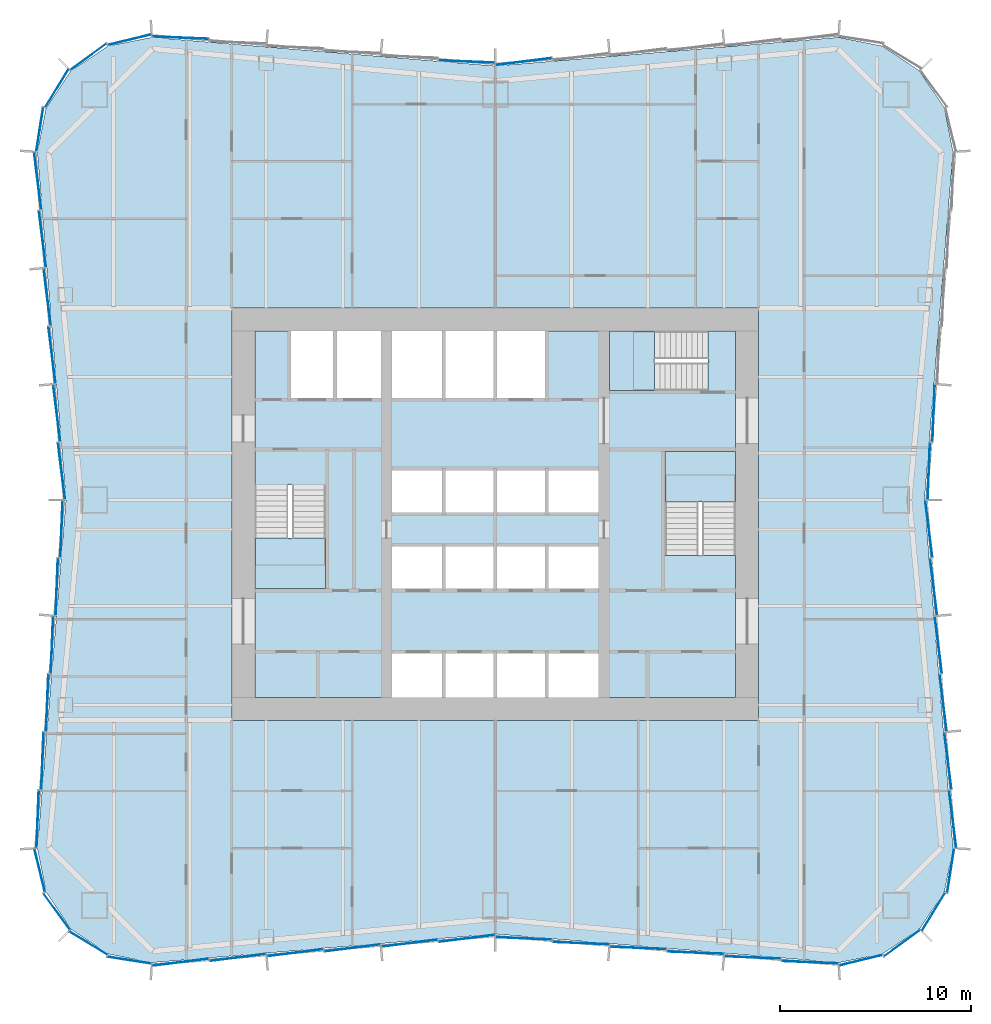
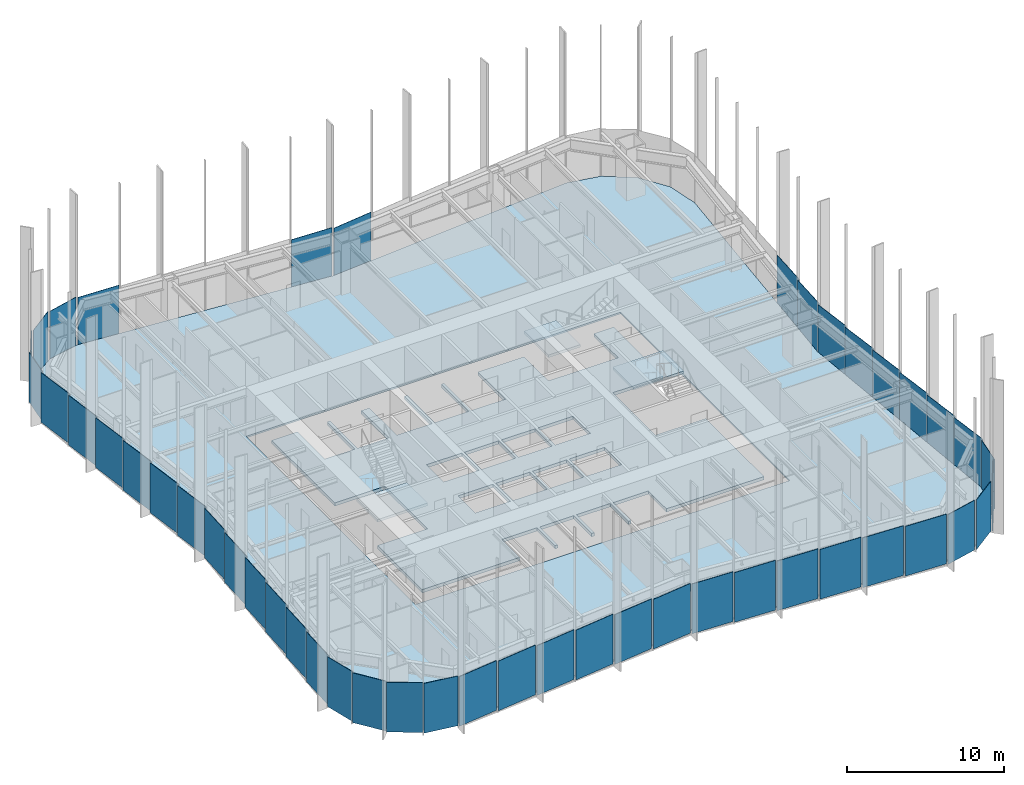
# One storey, part 7 of 13: 47 plates, 5 slabs, 10 elements without a shape of their own.
"""IFC4 building model written with IfcOpenShell, lengths in metres."""

from ifc_helpers import new_model, si_unit, direction, frame, origin, origin_2d, place, context, subcontext, project, spatial, polyline, rectangle, outline, extrude, material, layer, layer_set, type_object, element, aggregate, save


model = new_model("IFC4")

# Units and contexts
model_context = context("Model", 3, precision=1e-05, world=origin(), true_north=direction((0.0, 1.0)))
body_context = subcontext(model_context, "Body", "Model", "MODEL_VIEW")
ifc_project = project(units=[si_unit("LENGTHUNIT", "METRE"), si_unit("AREAUNIT", "SQUARE_METRE"), si_unit("VOLUMEUNIT", "CUBIC_METRE"), si_unit("PLANEANGLEUNIT", "RADIAN"), si_unit("MASSUNIT", "GRAM", prefix="KILO")], contexts=[model_context])

# Site, building, storey
site_placement = place(None, origin())
site = spatial("IfcSite", under=ifc_project, at=site_placement, CompositionType="ELEMENT")
building_placement = place(site_placement, origin())
building = spatial("IfcBuilding", under=site, at=building_placement, Name="Verdant Reach Tower", CompositionType="ELEMENT")
storey_placement = place(building_placement, frame((0.0, 0.0, 94.0)))
storey = spatial("IfcBuildingStorey", under=building, at=storey_placement, Name="L21", CompositionType="ELEMENT", Elevation=94.0)

# Stair, slab
ifc_material_1 = material(Name="Concrete C40/50", Category="concrete")
stair_type = type_object("IfcStairType", Name="CO-STAIR", PredefinedType="HALF_TURN_STAIR", material=ifc_material_1)
stair_1_placement = place(storey_placement, origin())
stair_1 = element("IfcStair", 1, at=stair_1_placement, inside=storey, type_object=stair_type, Name="L21 Exit stair 1", PredefinedType="HALF_TURN_STAIR")
ifc_layer_1 = layer(ifc_material_1, 0.199951171875)
ifc_layer_set_1 = layer_set([ifc_layer_1], Name="CO-STAIR-LANDING")
slab_type_1 = type_object("IfcSlabType", Name="CO-STAIR-LANDING", PredefinedType="LANDING", material=ifc_layer_set_1)
slab_1_placement = place(storey_placement, frame((0.0, 0.0, 1.800048828125)))
slab_1 = element("IfcSlab", 2, at=slab_1_placement, type_object=slab_type_1, Name="ST-1 landing 1", PredefinedType="LANDING", context=body_context, shape_type="SweptSolid", body=[
    extrude(outline(polyline([(-12.60009765625, 26.75), (-12.60009765625, 24.10009765625), (-8.89990234375, 24.10009765625), (-8.89990234375, 26.75), (-12.60009765625, 26.75)])), origin(), (0.0, 0.0, 1.0), 0.199951171875),
])
aggregate(stair_1, [slab_1])

stair_2_placement = place(storey_placement, origin())
stair_2 = element("IfcStair", 3, at=stair_2_placement, inside=storey, type_object=stair_type, Name="L21 Exit stair 2", PredefinedType="HALF_TURN_STAIR")
slab_2_placement = place(storey_placement, frame((0.0, 0.0, 1.800048828125)))
slab_2 = element("IfcSlab", 4, at=slab_2_placement, type_object=slab_type_1, Name="ST-2 landing 1", PredefinedType="LANDING", context=body_context, shape_type="SweptSolid", body=[
    extrude(outline(polyline([(12.60009765625, 28.64990234375), (12.60009765625, 31.300048828125), (8.89990234375, 31.300048828125), (8.89990234375, 28.64990234375), (12.60009765625, 28.64990234375)])), origin(), (0.0, 0.0, 1.0), 0.199951171875),
])
aggregate(stair_2, [slab_2])

stair_3_placement = place(storey_placement, origin())
stair_3 = element("IfcStair", 5, at=stair_3_placement, inside=storey, type_object=stair_type, Name="L21 Exit stair 3", PredefinedType="HALF_TURN_STAIR")
slab_3_placement = place(storey_placement, frame((0.0, 0.0, 1.800048828125)))
slab_3 = element("IfcSlab", 6, at=slab_3_placement, type_object=slab_type_1, Name="ST-3 landing 1", PredefinedType="LANDING", context=body_context, shape_type="SweptSolid", body=[
    extrude(outline(polyline([(8.35009765625, 37.60009765625), (6.0, 37.60009765625), (6.0, 34.5), (8.35009765625, 34.5), (8.35009765625, 37.60009765625)])), origin(), (0.0, 0.0, 1.0), 0.199951171875),
])
aggregate(stair_3, [slab_3])

# Curtain wall, plates
ifc_material_2 = material(Name="Anodised aluminium", Category="aluminium")
curtain_wall_type = type_object("IfcCurtainWallType", Name="EN-CW SYSTEM Z1", PredefinedType="NOTDEFINED", material=ifc_material_2)
curtain_wall_1_placement = place(storey_placement, origin())
curtain_wall_1 = element("IfcCurtainWall", 7, at=curtain_wall_1_placement, inside=storey, type_object=curtain_wall_type, Name="Curtain wall east, L21", PredefinedType="NOTDEFINED")
ifc_material_3 = material(Name="Tinted glass with champagne spandrel", Category="glass")
ifc_layer_2 = layer(ifc_material_3, 0.031982421875)
ifc_layer_set_2 = layer_set([ifc_layer_2], Name="EN-PANEL CHAMPAGNE")
plate_type_1 = type_object("IfcPlateType", Name="EN-PANEL CHAMPAGNE", PredefinedType="CURTAIN_PANEL", material=ifc_layer_set_2)
plate_1_placement = place(storey_placement, frame((23.2275390625, 21.154296875, -0.22802734375), z_axis=(0.0, 0.0, 1.0), x_axis=(-0.123578623975, 0.992334784081, 0.0)))
plate_1 = element("IfcPlate", 8, at=plate_1_placement, type_object=plate_type_1, Name="Glass panel east face part 1 4.1, L21", PredefinedType="CURTAIN_PANEL", context=body_context, shape_type="SweptSolid", body=[
    extrude(rectangle(XDim=2.993896484375, YDim=0.031982421875, at=origin_2d()), origin(), (0.0, 0.0, 1.0), 3.8779296875),
])
plate_2_placement = place(storey_placement, frame((22.9775390625, 24.196044921875, -0.22802734375), z_axis=(0.0, 0.0, 1.0), x_axis=(-0.123578623975, 0.992334784081, 0.0)))
plate_2 = element("IfcPlate", 9, at=plate_2_placement, type_object=plate_type_1, Name="Glass panel east face part 1 5.1, L21", PredefinedType="CURTAIN_PANEL", context=body_context, shape_type="SweptSolid", body=[
    extrude(rectangle(XDim=2.993896484375, YDim=0.031982421875, at=origin_2d()), origin(), (0.0, 0.0, 1.0), 3.8779296875),
])
plate_3_placement = place(storey_placement, frame((22.727783203125, 27.2333984375, -0.22802734375), z_axis=(0.0, 0.0, 1.0), x_axis=(-0.123691487663, 0.992320722287, 0.0)))
plate_3 = element("IfcPlate", 10, at=plate_3_placement, type_object=plate_type_1, Name="Glass panel east face part 1 6.1, L21", PredefinedType="CURTAIN_PANEL", context=body_context, shape_type="SweptSolid", body=[
    extrude(rectangle(XDim=2.985595703125, YDim=0.031982421875, at=origin_2d()), origin(), (0.0, 0.0, 1.0), 3.8779296875),
])

# Curtain wall, plate
curtain_wall_2_placement = place(storey_placement, origin())
curtain_wall_2 = element("IfcCurtainWall", 11, at=curtain_wall_2_placement, inside=storey, type_object=curtain_wall_type, Name="Curtain wall north, L21", PredefinedType="NOTDEFINED")
plate_4_placement = place(storey_placement, frame((-16.49853515625, 52.977783203125, -0.22802734375), z_axis=(0.0, 0.0, 1.0), x_axis=(-0.999162836679, 0.040909971885, 0.0)))
plate_4 = element("IfcPlate", 12, at=plate_4_placement, type_object=plate_type_1, Name="Glass panel north face part 2 6.1, L21", PredefinedType="CURTAIN_PANEL", context=body_context, shape_type="SweptSolid", body=[
    extrude(rectangle(XDim=2.966796875, YDim=0.031982421875, at=origin_2d()), origin(), (0.0, 0.0, 1.0), 3.8779296875),
])

# Curtain wall, plates
curtain_wall_3_placement = place(storey_placement, origin())
curtain_wall_3 = element("IfcCurtainWall", 13, at=curtain_wall_3_placement, inside=storey, type_object=curtain_wall_type, Name="Curtain wall north-west corner, L21", PredefinedType="NOTDEFINED")
plate_5_placement = place(storey_placement, frame((-22.97705078125, 50.325439453125, -0.22802734375), z_axis=(0.0, 0.0, 1.0), x_axis=(-0.520291572248, -0.85398868836, 0.0)))
plate_5 = element("IfcPlate", 14, at=plate_5_placement, type_object=plate_type_1, Name="Glass panel north-west corner 3.1, L21", PredefinedType="CURTAIN_PANEL", context=body_context, shape_type="SweptSolid", body=[
    extrude(rectangle(XDim=2.3232421875, YDim=0.031982421875, at=origin_2d()), origin(), (0.0, 0.0, 1.0), 3.8779296875),
])
plate_6_placement = place(storey_placement, frame((-23.87060546875, 48.170654296875, -0.22802734375), z_axis=(0.0, 0.0, 1.0), x_axis=(-0.154247912016, -0.988032176419, 0.0)))
plate_6 = element("IfcPlate", 15, at=plate_6_placement, type_object=plate_type_1, Name="Glass panel north-west corner 4.1, L21", PredefinedType="CURTAIN_PANEL", context=body_context, shape_type="SweptSolid", body=[
    extrude(rectangle(XDim=2.3173828125, YDim=0.031982421875, at=origin_2d()), origin(), (0.0, 0.0, 1.0), 3.8779296875),
])

curtain_wall_4_placement = place(storey_placement, origin())
curtain_wall_4 = element("IfcCurtainWall", 16, at=curtain_wall_4_placement, inside=storey, type_object=curtain_wall_type, Name="Curtain wall west, L21", PredefinedType="NOTDEFINED")
plate_7_placement = place(storey_placement, frame((-23.977783203125, 45.477783203125, -0.22802734375), z_axis=(0.0, 0.0, 1.0), x_axis=(0.123256305275, -0.992374870304, 0.0)))
plate_7 = element("IfcPlate", 17, at=plate_7_placement, type_object=plate_type_1, Name="Glass panel west face part 1 1.1, L21", PredefinedType="CURTAIN_PANEL", context=body_context, shape_type="SweptSolid", body=[
    extrude(rectangle(XDim=3.00830078125, YDim=0.031982421875, at=origin_2d()), origin(), (0.0, 0.0, 1.0), 3.8779296875),
])
plate_8_placement = place(storey_placement, frame((-23.7275390625, 42.428955078125, -0.22802734375), z_axis=(0.0, 0.0, 1.0), x_axis=(0.123578623975, -0.992334784081, 0.0)))
plate_8 = element("IfcPlate", 18, at=plate_8_placement, type_object=plate_type_1, Name="Glass panel west face part 1 2.1, L21", PredefinedType="CURTAIN_PANEL", context=body_context, shape_type="SweptSolid", body=[
    extrude(rectangle(XDim=2.993896484375, YDim=0.031982421875, at=origin_2d()), origin(), (0.0, 0.0, 1.0), 3.8779296875),
])
plate_9_placement = place(storey_placement, frame((-22.9775390625, 24.196044921875, -0.22802734375), z_axis=(0.0, 0.0, 1.0), x_axis=(-0.040108781752, -0.999195319057, 0.0)))
plate_9 = element("IfcPlate", 19, at=plate_9_placement, type_object=plate_type_1, Name="Glass panel west face part 2 2.1, L21", PredefinedType="CURTAIN_PANEL", context=body_context, shape_type="SweptSolid", body=[
    extrude(rectangle(XDim=2.993896484375, YDim=0.031982421875, at=origin_2d()), origin(), (0.0, 0.0, 1.0), 3.8779296875),
])
plate_10_placement = place(storey_placement, frame((-23.2275390625, 21.154296875, -0.22802734375), z_axis=(0.0, 0.0, 1.0), x_axis=(-0.040108781752, -0.999195319057, 0.0)))
plate_10 = element("IfcPlate", 20, at=plate_10_placement, type_object=plate_type_1, Name="Glass panel west face part 2 3.1, L21", PredefinedType="CURTAIN_PANEL", context=body_context, shape_type="SweptSolid", body=[
    extrude(rectangle(XDim=2.993896484375, YDim=0.031982421875, at=origin_2d()), origin(), (0.0, 0.0, 1.0), 3.8779296875),
])
plate_11_placement = place(storey_placement, frame((-23.4775390625, 18.112548828125, -0.22802734375), z_axis=(0.0, 0.0, 1.0), x_axis=(-0.040108781752, -0.999195319057, 0.0)))
plate_11 = element("IfcPlate", 21, at=plate_11_placement, type_object=plate_type_1, Name="Glass panel west face part 2 4.1, L21", PredefinedType="CURTAIN_PANEL", context=body_context, shape_type="SweptSolid", body=[
    extrude(rectangle(XDim=2.993896484375, YDim=0.031982421875, at=origin_2d()), origin(), (0.0, 0.0, 1.0), 3.8779296875),
])

curtain_wall_5_placement = place(storey_placement, origin())
curtain_wall_5 = element("IfcCurtainWall", 22, at=curtain_wall_5_placement, inside=storey, type_object=curtain_wall_type, Name="Curtain wall south-west corner, L21", PredefinedType="NOTDEFINED")
plate_12_placement = place(storey_placement, frame((-23.87060546875, 9.329345703125, -0.22802734375), z_axis=(0.0, 0.0, 1.0), x_axis=(0.236383344544, -0.971659875894, 0.0)))
plate_12 = element("IfcPlate", 23, at=plate_12_placement, type_object=plate_type_1, Name="Glass panel south-west corner 1.1, L21", PredefinedType="CURTAIN_PANEL", context=body_context, shape_type="SweptSolid", body=[
    extrude(rectangle(XDim=2.3173828125, YDim=0.031982421875, at=origin_2d()), origin(), (0.0, 0.0, 1.0), 3.8779296875),
])
plate_13_placement = place(storey_placement, frame((-22.97705078125, 7.174560546875, -0.22802734375), z_axis=(0.0, 0.0, 1.0), x_axis=(0.589926768145, -0.807456753161, 0.0)))
plate_13 = element("IfcPlate", 24, at=plate_13_placement, type_object=plate_type_1, Name="Glass panel south-west corner 2.1, L21", PredefinedType="CURTAIN_PANEL", context=body_context, shape_type="SweptSolid", body=[
    extrude(rectangle(XDim=2.3232421875, YDim=0.031982421875, at=origin_2d()), origin(), (0.0, 0.0, 1.0), 3.8779296875),
])

curtain_wall_6_placement = place(storey_placement, origin())
curtain_wall_6 = element("IfcCurtainWall", 25, at=curtain_wall_6_placement, inside=storey, type_object=curtain_wall_type, Name="Curtain wall south, L21", PredefinedType="NOTDEFINED")
plate_14_placement = place(storey_placement, frame((-1.49560546875, 5.772216796875, -0.22802734375), z_axis=(0.0, 0.0, 1.0), x_axis=(0.992179247355, 0.124821236644, 0.0)))
plate_14 = element("IfcPlate", 26, at=plate_14_placement, type_object=plate_type_1, Name="Glass panel south face part 1 6.1, L21", PredefinedType="CURTAIN_PANEL", context=body_context, shape_type="SweptSolid", body=[
    extrude(rectangle(XDim=2.94384765625, YDim=0.031982421875, at=origin_2d()), origin(), (0.0, 0.0, 1.0), 3.8779296875),
])
plate_15_placement = place(storey_placement, frame((1.49560546875, 5.772216796875, -0.22802734375), z_axis=(0.0, 0.0, 1.0), x_axis=(0.99914430697, -0.041360051381, 0.0)))
plate_15 = element("IfcPlate", 27, at=plate_15_placement, type_object=plate_type_1, Name="Glass panel south face part 2 1.1, L21", PredefinedType="CURTAIN_PANEL", context=body_context, shape_type="SweptSolid", body=[
    extrude(rectangle(XDim=2.94384765625, YDim=0.031982421875, at=origin_2d()), origin(), (0.0, 0.0, 1.0), 3.8779296875),
])
plate_16_placement = place(storey_placement, frame((4.491455078125, 5.5224609375, -0.22802734375), z_axis=(0.0, 0.0, 1.0), x_axis=(0.999149202059, -0.041241629766, 0.0)))
plate_16 = element("IfcPlate", 28, at=plate_16_placement, type_object=plate_type_1, Name="Glass panel south face part 2 2.1, L21", PredefinedType="CURTAIN_PANEL", context=body_context, shape_type="SweptSolid", body=[
    extrude(rectangle(XDim=2.952392578125, YDim=0.031982421875, at=origin_2d()), origin(), (0.0, 0.0, 1.0), 3.8779296875),
])

curtain_wall_7_placement = place(storey_placement, origin())
curtain_wall_7 = element("IfcCurtainWall", 29, at=curtain_wall_7_placement, inside=storey, type_object=curtain_wall_type, Name="Curtain wall south-east corner, L21", PredefinedType="NOTDEFINED")
ifc_material_4 = material(Name="Tinted glass with copper spandrel", Category="glass")
ifc_layer_3 = layer(ifc_material_4, 0.031982421875)
ifc_layer_set_3 = layer_set([ifc_layer_3], Name="EN-PANEL COPPER")
plate_type_2 = type_object("IfcPlateType", Name="EN-PANEL COPPER", PredefinedType="CURTAIN_PANEL", material=ifc_layer_set_3)
plate_17_placement = place(storey_placement, frame((19.170654296875, 4.62939453125, -0.22802734375), z_axis=(0.0, 0.0, 1.0), x_axis=(0.971660685934, 0.236380014828, 0.0)))
plate_17 = element("IfcPlate", 30, at=plate_17_placement, type_object=plate_type_2, Name="Glass panel south-east corner 1.1, L21", PredefinedType="CURTAIN_PANEL", context=body_context, shape_type="SweptSolid", body=[
    extrude(rectangle(XDim=2.317626953125, YDim=0.031982421875, at=origin_2d()), origin(), (0.0, 0.0, 1.0), 3.8779296875),
])
plate_18_placement = place(storey_placement, frame((21.325439453125, 5.52294921875, -0.22802734375), z_axis=(0.0, 0.0, 1.0), x_axis=(0.807456753161, 0.589926768145, 0.0)))
plate_18 = element("IfcPlate", 31, at=plate_18_placement, type_object=plate_type_2, Name="Glass panel south-east corner 2.1, L21", PredefinedType="CURTAIN_PANEL", context=body_context, shape_type="SweptSolid", body=[
    extrude(rectangle(XDim=2.3232421875, YDim=0.031982421875, at=origin_2d()), origin(), (0.0, 0.0, 1.0), 3.8779296875),
])
plate_19_placement = place(storey_placement, frame((22.97705078125, 7.174560546875, -0.22802734375), z_axis=(0.0, 0.0, 1.0), x_axis=(0.520291572248, 0.85398868836, 0.0)))
plate_19 = element("IfcPlate", 32, at=plate_19_placement, type_object=plate_type_2, Name="Glass panel south-east corner 3.1, L21", PredefinedType="CURTAIN_PANEL", context=body_context, shape_type="SweptSolid", body=[
    extrude(rectangle(XDim=2.3232421875, YDim=0.031982421875, at=origin_2d()), origin(), (0.0, 0.0, 1.0), 3.8779296875),
])

# Plate
plate_20_placement = place(storey_placement, frame((23.977783203125, 12.022216796875, -0.22802734375), z_axis=(0.0, 0.0, 1.0), x_axis=(-0.123256305275, 0.992374870304, 0.0)))
plate_20 = element("IfcPlate", 33, at=plate_20_placement, type_object=plate_type_2, Name="Glass panel east face part 1 1.1, L21", PredefinedType="CURTAIN_PANEL", context=body_context, shape_type="SweptSolid", body=[
    extrude(rectangle(XDim=3.00830078125, YDim=0.031982421875, at=origin_2d()), origin(), (0.0, 0.0, 1.0), 3.8779296875),
])

plate_21_placement = place(storey_placement, frame((22.727783203125, 30.2666015625, -0.22802734375), z_axis=(0.0, 0.0, 1.0), x_axis=(0.040222426271, 0.99919075077, 0.0)))
plate_21 = element("IfcPlate", 34, at=plate_21_placement, type_object=plate_type_2, Name="Glass panel east face part 2 1.1, L21", PredefinedType="CURTAIN_PANEL", context=body_context, shape_type="SweptSolid", body=[
    extrude(rectangle(XDim=2.985595703125, YDim=0.031982421875, at=origin_2d()), origin(), (0.0, 0.0, 1.0), 3.8779296875),
])

plate_22_placement = place(storey_placement, frame((22.9775390625, 33.303955078125, -0.22802734375), z_axis=(0.0, 0.0, 1.0), x_axis=(0.040108781752, 0.999195319057, 0.0)))
plate_22 = element("IfcPlate", 35, at=plate_22_placement, type_object=plate_type_2, Name="Glass panel east face part 2 2.1, L21", PredefinedType="CURTAIN_PANEL", context=body_context, shape_type="SweptSolid", body=[
    extrude(rectangle(XDim=2.993896484375, YDim=0.031982421875, at=origin_2d()), origin(), (0.0, 0.0, 1.0), 3.8779296875),
])

plate_23_placement = place(storey_placement, frame((1.49560546875, 51.727783203125, -0.22802734375), z_axis=(0.0, 0.0, 1.0), x_axis=(-0.992179247355, -0.124821236644, 0.0)))
plate_23 = element("IfcPlate", 36, at=plate_23_placement, type_object=plate_type_2, Name="Glass panel north face part 1 6.1, L21", PredefinedType="CURTAIN_PANEL", context=body_context, shape_type="SweptSolid", body=[
    extrude(rectangle(XDim=2.94384765625, YDim=0.031982421875, at=origin_2d()), origin(), (0.0, 0.0, 1.0), 3.8779296875),
])

plate_24_placement = place(storey_placement, frame((-1.49560546875, 51.727783203125, -0.22802734375), z_axis=(0.0, 0.0, 1.0), x_axis=(-0.99914430697, 0.041360051381, 0.0)))
plate_24 = element("IfcPlate", 37, at=plate_24_placement, type_object=plate_type_2, Name="Glass panel north face part 2 1.1, L21", PredefinedType="CURTAIN_PANEL", context=body_context, shape_type="SweptSolid", body=[
    extrude(rectangle(XDim=2.94384765625, YDim=0.031982421875, at=origin_2d()), origin(), (0.0, 0.0, 1.0), 3.8779296875),
])

aggregate(curtain_wall_2, [plate_23, plate_24, plate_4])

plate_25_placement = place(storey_placement, frame((-23.4775390625, 39.387451171875, -0.22802734375), z_axis=(0.0, 0.0, 1.0), x_axis=(0.123578623975, -0.992334784081, 0.0)))
plate_25 = element("IfcPlate", 38, at=plate_25_placement, type_object=plate_type_2, Name="Glass panel west face part 1 3.1, L21", PredefinedType="CURTAIN_PANEL", context=body_context, shape_type="SweptSolid", body=[
    extrude(rectangle(XDim=2.993896484375, YDim=0.031982421875, at=origin_2d()), origin(), (0.0, 0.0, 1.0), 3.8779296875),
])

plate_26_placement = place(storey_placement, frame((-23.2275390625, 36.345703125, -0.22802734375), z_axis=(0.0, 0.0, 1.0), x_axis=(0.123578623975, -0.992334784081, 0.0)))
plate_26 = element("IfcPlate", 39, at=plate_26_placement, type_object=plate_type_2, Name="Glass panel west face part 1 4.1, L21", PredefinedType="CURTAIN_PANEL", context=body_context, shape_type="SweptSolid", body=[
    extrude(rectangle(XDim=2.993896484375, YDim=0.031982421875, at=origin_2d()), origin(), (0.0, 0.0, 1.0), 3.8779296875),
])

plate_27_placement = place(storey_placement, frame((-22.9775390625, 33.303955078125, -0.22802734375), z_axis=(0.0, 0.0, 1.0), x_axis=(0.123578623975, -0.992334784081, 0.0)))
plate_27 = element("IfcPlate", 40, at=plate_27_placement, type_object=plate_type_2, Name="Glass panel west face part 1 5.1, L21", PredefinedType="CURTAIN_PANEL", context=body_context, shape_type="SweptSolid", body=[
    extrude(rectangle(XDim=2.993896484375, YDim=0.031982421875, at=origin_2d()), origin(), (0.0, 0.0, 1.0), 3.8779296875),
])

plate_28_placement = place(storey_placement, frame((-23.7275390625, 15.071044921875, -0.22802734375), z_axis=(0.0, 0.0, 1.0), x_axis=(-0.040108781752, -0.999195319057, 0.0)))
plate_28 = element("IfcPlate", 41, at=plate_28_placement, type_object=plate_type_2, Name="Glass panel west face part 2 5.1, L21", PredefinedType="CURTAIN_PANEL", context=body_context, shape_type="SweptSolid", body=[
    extrude(rectangle(XDim=2.993896484375, YDim=0.031982421875, at=origin_2d()), origin(), (0.0, 0.0, 1.0), 3.8779296875),
])

plate_29_placement = place(storey_placement, frame((-23.977783203125, 12.022216796875, -0.22802734375), z_axis=(0.0, 0.0, 1.0), x_axis=(-0.039784239139, -0.999208293759, 0.0)))
plate_29 = element("IfcPlate", 42, at=plate_29_placement, type_object=plate_type_2, Name="Glass panel west face part 2 6.1, L21", PredefinedType="CURTAIN_PANEL", context=body_context, shape_type="SweptSolid", body=[
    extrude(rectangle(XDim=3.00830078125, YDim=0.031982421875, at=origin_2d()), origin(), (0.0, 0.0, 1.0), 3.8779296875),
])

plate_30_placement = place(storey_placement, frame((-21.325439453125, 5.52294921875, -0.22802734375), z_axis=(0.0, 0.0, 1.0), x_axis=(0.85398868836, -0.520291572248, 0.0)))
plate_30 = element("IfcPlate", 43, at=plate_30_placement, type_object=plate_type_2, Name="Glass panel south-west corner 3.1, L21", PredefinedType="CURTAIN_PANEL", context=body_context, shape_type="SweptSolid", body=[
    extrude(rectangle(XDim=2.3232421875, YDim=0.031982421875, at=origin_2d()), origin(), (0.0, 0.0, 1.0), 3.8779296875),
])

plate_31_placement = place(storey_placement, frame((-19.170654296875, 4.62939453125, -0.22802734375), z_axis=(0.0, 0.0, 1.0), x_axis=(0.988032704995, -0.154244526195, 0.0)))
plate_31 = element("IfcPlate", 44, at=plate_31_placement, type_object=plate_type_2, Name="Glass panel south-west corner 4.1, L21", PredefinedType="CURTAIN_PANEL", context=body_context, shape_type="SweptSolid", body=[
    extrude(rectangle(XDim=2.317626953125, YDim=0.031982421875, at=origin_2d()), origin(), (0.0, 0.0, 1.0), 3.8779296875),
])

aggregate(curtain_wall_5, [plate_12, plate_13, plate_30, plate_31])

plate_32_placement = place(storey_placement, frame((-16.49853515625, 4.522216796875, -0.22802734375), z_axis=(0.0, 0.0, 1.0), x_axis=(0.99223537376, 0.124374286167, 0.0)))
plate_32 = element("IfcPlate", 45, at=plate_32_placement, type_object=plate_type_2, Name="Glass panel south face part 1 1.1, L21", PredefinedType="CURTAIN_PANEL", context=body_context, shape_type="SweptSolid", body=[
    extrude(rectangle(XDim=2.966796875, YDim=0.031982421875, at=origin_2d()), origin(), (0.0, 0.0, 1.0), 3.8779296875),
])

plate_33_placement = place(storey_placement, frame((-13.491455078125, 4.7724609375, -0.22802734375), z_axis=(0.0, 0.0, 1.0), x_axis=(0.992194034542, 0.124703639961, 0.0)))
plate_33 = element("IfcPlate", 46, at=plate_33_placement, type_object=plate_type_2, Name="Glass panel south face part 1 2.1, L21", PredefinedType="CURTAIN_PANEL", context=body_context, shape_type="SweptSolid", body=[
    extrude(rectangle(XDim=2.952392578125, YDim=0.031982421875, at=origin_2d()), origin(), (0.0, 0.0, 1.0), 3.8779296875),
])

plate_34_placement = place(storey_placement, frame((-10.491455078125, 5.0224609375, -0.22802734375), z_axis=(0.0, 0.0, 1.0), x_axis=(0.992194034542, 0.124703639961, 0.0)))
plate_34 = element("IfcPlate", 47, at=plate_34_placement, type_object=plate_type_2, Name="Glass panel south face part 1 3.1, L21", PredefinedType="CURTAIN_PANEL", context=body_context, shape_type="SweptSolid", body=[
    extrude(rectangle(XDim=2.952392578125, YDim=0.031982421875, at=origin_2d()), origin(), (0.0, 0.0, 1.0), 3.8779296875),
])

plate_35_placement = place(storey_placement, frame((7.491455078125, 5.2724609375, -0.22802734375), z_axis=(0.0, 0.0, 1.0), x_axis=(0.999149202059, -0.041241629766, 0.0)))
plate_35 = element("IfcPlate", 48, at=plate_35_placement, type_object=plate_type_2, Name="Glass panel south face part 2 3.1, L21", PredefinedType="CURTAIN_PANEL", context=body_context, shape_type="SweptSolid", body=[
    extrude(rectangle(XDim=2.952392578125, YDim=0.031982421875, at=origin_2d()), origin(), (0.0, 0.0, 1.0), 3.8779296875),
])

plate_36_placement = place(storey_placement, frame((10.491455078125, 5.0224609375, -0.22802734375), z_axis=(0.0, 0.0, 1.0), x_axis=(0.999149202059, -0.041241629766, 0.0)))
plate_36 = element("IfcPlate", 49, at=plate_36_placement, type_object=plate_type_2, Name="Glass panel south face part 2 4.1, L21", PredefinedType="CURTAIN_PANEL", context=body_context, shape_type="SweptSolid", body=[
    extrude(rectangle(XDim=2.952392578125, YDim=0.031982421875, at=origin_2d()), origin(), (0.0, 0.0, 1.0), 3.8779296875),
])

ifc_material_5 = material(Name="Tinted glass with dark bronze spandrel", Category="glass")
ifc_layer_4 = layer(ifc_material_5, 0.031982421875)
ifc_layer_set_4 = layer_set([ifc_layer_4], Name="EN-PANEL DARK")
plate_type_3 = type_object("IfcPlateType", Name="EN-PANEL DARK", PredefinedType="CURTAIN_PANEL", material=ifc_layer_set_4)
plate_37_placement = place(storey_placement, frame((23.87060546875, 9.329345703125, -0.22802734375), z_axis=(0.0, 0.0, 1.0), x_axis=(0.154247912016, 0.988032176419, 0.0)))
plate_37 = element("IfcPlate", 50, at=plate_37_placement, type_object=plate_type_3, Name="Glass panel south-east corner 4.1, L21", PredefinedType="CURTAIN_PANEL", context=body_context, shape_type="SweptSolid", body=[
    extrude(rectangle(XDim=2.3173828125, YDim=0.031982421875, at=origin_2d()), origin(), (0.0, 0.0, 1.0), 3.8779296875),
])

aggregate(curtain_wall_7, [plate_17, plate_18, plate_19, plate_37])

plate_38_placement = place(storey_placement, frame((23.7275390625, 15.071044921875, -0.22802734375), z_axis=(0.0, 0.0, 1.0), x_axis=(-0.123578623975, 0.992334784081, 0.0)))
plate_38 = element("IfcPlate", 51, at=plate_38_placement, type_object=plate_type_3, Name="Glass panel east face part 1 2.1, L21", PredefinedType="CURTAIN_PANEL", context=body_context, shape_type="SweptSolid", body=[
    extrude(rectangle(XDim=2.993896484375, YDim=0.031982421875, at=origin_2d()), origin(), (0.0, 0.0, 1.0), 3.8779296875),
])

plate_39_placement = place(storey_placement, frame((23.4775390625, 18.112548828125, -0.22802734375), z_axis=(0.0, 0.0, 1.0), x_axis=(-0.123578623975, 0.992334784081, 0.0)))
plate_39 = element("IfcPlate", 52, at=plate_39_placement, type_object=plate_type_3, Name="Glass panel east face part 1 3.1, L21", PredefinedType="CURTAIN_PANEL", context=body_context, shape_type="SweptSolid", body=[
    extrude(rectangle(XDim=2.993896484375, YDim=0.031982421875, at=origin_2d()), origin(), (0.0, 0.0, 1.0), 3.8779296875),
])

aggregate(curtain_wall_1, [plate_20, plate_38, plate_39, plate_1, plate_2, plate_3, plate_21, plate_22])

plate_40_placement = place(storey_placement, frame((-19.170654296875, 52.87060546875, -0.22802734375), z_axis=(0.0, 0.0, 1.0), x_axis=(-0.971660685934, -0.236380014828, 0.0)))
plate_40 = element("IfcPlate", 53, at=plate_40_placement, type_object=plate_type_3, Name="Glass panel north-west corner 1.1, L21", PredefinedType="CURTAIN_PANEL", context=body_context, shape_type="SweptSolid", body=[
    extrude(rectangle(XDim=2.317626953125, YDim=0.031982421875, at=origin_2d()), origin(), (0.0, 0.0, 1.0), 3.8779296875),
])

plate_41_placement = place(storey_placement, frame((-21.325439453125, 51.97705078125, -0.22802734375), z_axis=(0.0, 0.0, 1.0), x_axis=(-0.807456753161, -0.589926768145, 0.0)))
plate_41 = element("IfcPlate", 54, at=plate_41_placement, type_object=plate_type_3, Name="Glass panel north-west corner 2.1, L21", PredefinedType="CURTAIN_PANEL", context=body_context, shape_type="SweptSolid", body=[
    extrude(rectangle(XDim=2.3232421875, YDim=0.031982421875, at=origin_2d()), origin(), (0.0, 0.0, 1.0), 3.8779296875),
])

aggregate(curtain_wall_3, [plate_40, plate_41, plate_5, plate_6])

plate_42_placement = place(storey_placement, frame((-22.727783203125, 30.2666015625, -0.22802734375), z_axis=(0.0, 0.0, 1.0), x_axis=(0.123691487663, -0.992320722287, 0.0)))
plate_42 = element("IfcPlate", 55, at=plate_42_placement, type_object=plate_type_3, Name="Glass panel west face part 1 6.1, L21", PredefinedType="CURTAIN_PANEL", context=body_context, shape_type="SweptSolid", body=[
    extrude(rectangle(XDim=2.985595703125, YDim=0.031982421875, at=origin_2d()), origin(), (0.0, 0.0, 1.0), 3.8779296875),
])

plate_43_placement = place(storey_placement, frame((-22.727783203125, 27.2333984375, -0.22802734375), z_axis=(0.0, 0.0, 1.0), x_axis=(-0.040222426271, -0.99919075077, 0.0)))
plate_43 = element("IfcPlate", 56, at=plate_43_placement, type_object=plate_type_3, Name="Glass panel west face part 2 1.1, L21", PredefinedType="CURTAIN_PANEL", context=body_context, shape_type="SweptSolid", body=[
    extrude(rectangle(XDim=2.985595703125, YDim=0.031982421875, at=origin_2d()), origin(), (0.0, 0.0, 1.0), 3.8779296875),
])

aggregate(curtain_wall_4, [plate_7, plate_8, plate_25, plate_26, plate_27, plate_42, plate_43, plate_9, plate_10, plate_11, plate_28, plate_29])

plate_44_placement = place(storey_placement, frame((-7.491455078125, 5.2724609375, -0.22802734375), z_axis=(0.0, 0.0, 1.0), x_axis=(0.992194034542, 0.124703639961, 0.0)))
plate_44 = element("IfcPlate", 57, at=plate_44_placement, type_object=plate_type_3, Name="Glass panel south face part 1 4.1, L21", PredefinedType="CURTAIN_PANEL", context=body_context, shape_type="SweptSolid", body=[
    extrude(rectangle(XDim=2.952392578125, YDim=0.031982421875, at=origin_2d()), origin(), (0.0, 0.0, 1.0), 3.8779296875),
])

plate_45_placement = place(storey_placement, frame((-4.491455078125, 5.5224609375, -0.22802734375), z_axis=(0.0, 0.0, 1.0), x_axis=(0.992194034542, 0.124703639961, 0.0)))
plate_45 = element("IfcPlate", 58, at=plate_45_placement, type_object=plate_type_3, Name="Glass panel south face part 1 5.1, L21", PredefinedType="CURTAIN_PANEL", context=body_context, shape_type="SweptSolid", body=[
    extrude(rectangle(XDim=2.952392578125, YDim=0.031982421875, at=origin_2d()), origin(), (0.0, 0.0, 1.0), 3.8779296875),
])

plate_46_placement = place(storey_placement, frame((13.491455078125, 4.7724609375, -0.22802734375), z_axis=(0.0, 0.0, 1.0), x_axis=(0.999149202059, -0.041241629766, 0.0)))
plate_46 = element("IfcPlate", 59, at=plate_46_placement, type_object=plate_type_3, Name="Glass panel south face part 2 5.1, L21", PredefinedType="CURTAIN_PANEL", context=body_context, shape_type="SweptSolid", body=[
    extrude(rectangle(XDim=2.952392578125, YDim=0.031982421875, at=origin_2d()), origin(), (0.0, 0.0, 1.0), 3.8779296875),
])

plate_47_placement = place(storey_placement, frame((16.49853515625, 4.522216796875, -0.22802734375), z_axis=(0.0, 0.0, 1.0), x_axis=(0.999162836679, -0.040909971885, 0.0)))
plate_47 = element("IfcPlate", 60, at=plate_47_placement, type_object=plate_type_3, Name="Glass panel south face part 2 6.1, L21", PredefinedType="CURTAIN_PANEL", context=body_context, shape_type="SweptSolid", body=[
    extrude(rectangle(XDim=2.966796875, YDim=0.031982421875, at=origin_2d()), origin(), (0.0, 0.0, 1.0), 3.8779296875),
])

aggregate(curtain_wall_6, [plate_32, plate_33, plate_34, plate_44, plate_45, plate_14, plate_15, plate_16, plate_35, plate_36, plate_46, plate_47])

# Slabs
ifc_material_6 = material(Name="Concrete C35/45", Category="concrete")
ifc_layer_5 = layer(ifc_material_6, 0.1298828125)
ifc_layer_set_5 = layer_set([ifc_layer_5], Name="ST-SLAB-130")
slab_type_2 = type_object("IfcSlabType", Name="ST-SLAB-130", PredefinedType="FLOOR", material=ifc_layer_set_5)
slab_4_placement = place(storey_placement, frame((0.0, 0.0, -0.1298828125)))
element("IfcSlab", 61, at=slab_4_placement, inside=storey, type_object=slab_type_2, Name="Floor slab L21", PredefinedType="FLOOR", context=body_context, shape_type="SweptSolid", body=[
    extrude(outline(polyline([(0.0, 6.0), (-18.0, 4.5), (-20.296142578125, 4.956787109375), (-22.24267578125, 6.25732421875), (-23.543212890625, 8.203857421875), (-24.0, 10.5), (-22.5, 28.75), (-24.0, 47.0), (-23.543212890625, 49.296142578125), (-22.24267578125, 51.24267578125), (-20.296142578125, 52.543212890625), (-18.0, 53.0), (0.0, 51.5), (18.0, 53.0), (20.296142578125, 52.543212890625), (22.24267578125, 51.24267578125), (23.543212890625, 49.296142578125), (24.0, 47.0), (22.5, 28.75), (24.0, 10.5), (23.543212890625, 8.203857421875), (22.24267578125, 6.25732421875), (20.296142578125, 4.956787109375), (18.0, 4.5), (0.0, 6.0)]), holes=[polyline([(13.800048828125, 38.800048828125), (-13.800048828125, 38.800048828125), (-13.800048828125, 17.199951171875), (13.800048828125, 17.199951171875), (13.800048828125, 38.800048828125)])]), origin(), (0.0, 0.0, 1.0), 0.1298828125),
])
ifc_layer_6 = layer(ifc_material_6, 0.25)
ifc_layer_set_6 = layer_set([ifc_layer_6], Name="ST-SLAB-250")
slab_type_3 = type_object("IfcSlabType", Name="ST-SLAB-250", PredefinedType="FLOOR", material=ifc_layer_set_6)
slab_5_placement = place(storey_placement, frame((0.0, 0.0, -0.25)))
element("IfcSlab", 62, at=slab_5_placement, inside=storey, type_object=slab_type_3, Name="Core floor slab L21", PredefinedType="FLOOR", context=body_context, shape_type="SweptSolid", body=[
    extrude(outline(polyline([(12.60009765625, 18.39990234375), (5.39990234375, 18.39990234375), (5.39990234375, 20.699951171875), (2.800048828125, 20.699951171875), (2.800048828125, 18.39990234375), (2.60009765625, 18.39990234375), (2.60009765625, 20.699951171875), (0.10009765625, 20.699951171875), (0.10009765625, 18.39990234375), (-0.10009765625, 18.39990234375), (-0.10009765625, 20.699951171875), (-2.60009765625, 20.699951171875), (-2.60009765625, 18.39990234375), (-2.800048828125, 18.39990234375), (-2.800048828125, 20.699951171875), (-5.39990234375, 20.699951171875), (-5.39990234375, 18.39990234375), (-12.60009765625, 18.39990234375), (-12.60009765625, 24.10009765625), (-8.89990234375, 24.10009765625), (-8.89990234375, 29.548095703125), (-12.60009765625, 29.548095703125), (-12.60009765625, 37.60009765625), (-10.699951171875, 37.60009765625), (-10.699951171875, 34.10009765625), (-8.5, 34.10009765625), (-8.5, 37.60009765625), (-8.300048828125, 37.60009765625), (-8.300048828125, 34.10009765625), (-6.0, 34.10009765625), (-6.0, 37.60009765625), (-5.39990234375, 37.60009765625), (-5.39990234375, 34.10009765625), (-2.800048828125, 34.10009765625), (-2.800048828125, 37.60009765625), (-2.60009765625, 37.60009765625), (-2.60009765625, 34.10009765625), (-0.10009765625, 34.10009765625), (-0.10009765625, 37.60009765625), (0.10009765625, 37.60009765625), (0.10009765625, 34.10009765625), (2.60009765625, 34.10009765625), (2.60009765625, 37.60009765625), (6.0, 37.60009765625), (6.0, 34.5), (11.14794921875, 34.5), (11.14794921875, 37.60009765625), (12.60009765625, 37.60009765625), (12.60009765625, 31.300048828125), (8.89990234375, 31.300048828125), (8.89990234375, 25.85205078125), (12.60009765625, 25.85205078125), (12.60009765625, 18.39990234375)]), holes=[polyline([(-2.800048828125, 24.10009765625), (-2.800048828125, 26.300048828125), (-5.39990234375, 26.300048828125), (-5.39990234375, 24.10009765625), (-2.800048828125, 24.10009765625)]), polyline([(-2.60009765625, 24.10009765625), (-0.10009765625, 24.10009765625), (-0.10009765625, 26.300048828125), (-2.60009765625, 26.300048828125), (-2.60009765625, 24.10009765625)]), polyline([(-2.800048828125, 28.10009765625), (-2.800048828125, 30.300048828125), (-5.39990234375, 30.300048828125), (-5.39990234375, 28.10009765625), (-2.800048828125, 28.10009765625)]), polyline([(-0.10009765625, 28.10009765625), (-0.10009765625, 30.300048828125), (-2.60009765625, 30.300048828125), (-2.60009765625, 28.10009765625), (-0.10009765625, 28.10009765625)]), polyline([(2.60009765625, 24.10009765625), (2.60009765625, 26.300048828125), (0.10009765625, 26.300048828125), (0.10009765625, 24.10009765625), (2.60009765625, 24.10009765625)]), polyline([(2.800048828125, 24.10009765625), (5.39990234375, 24.10009765625), (5.39990234375, 26.300048828125), (2.800048828125, 26.300048828125), (2.800048828125, 24.10009765625)]), polyline([(2.60009765625, 28.10009765625), (2.60009765625, 30.300048828125), (0.10009765625, 30.300048828125), (0.10009765625, 28.10009765625), (2.60009765625, 28.10009765625)]), polyline([(5.39990234375, 28.10009765625), (5.39990234375, 30.300048828125), (2.800048828125, 30.300048828125), (2.800048828125, 28.10009765625), (5.39990234375, 28.10009765625)])]), origin(), (0.0, 0.0, 1.0), 0.25),
])

save(model, "model.ifc")
